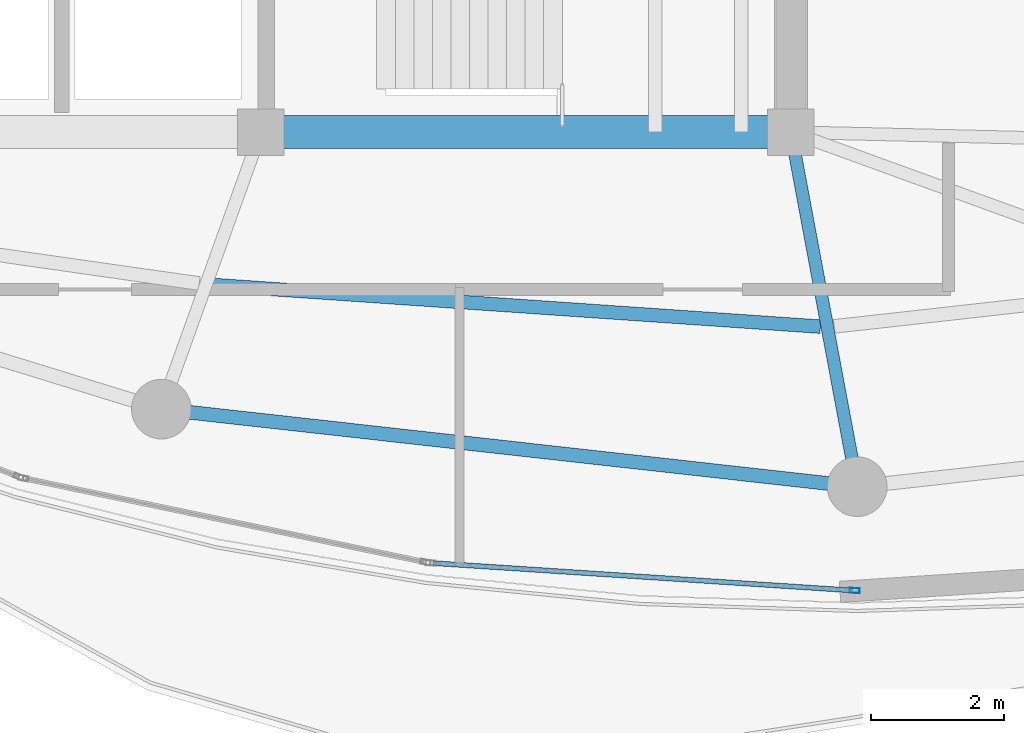
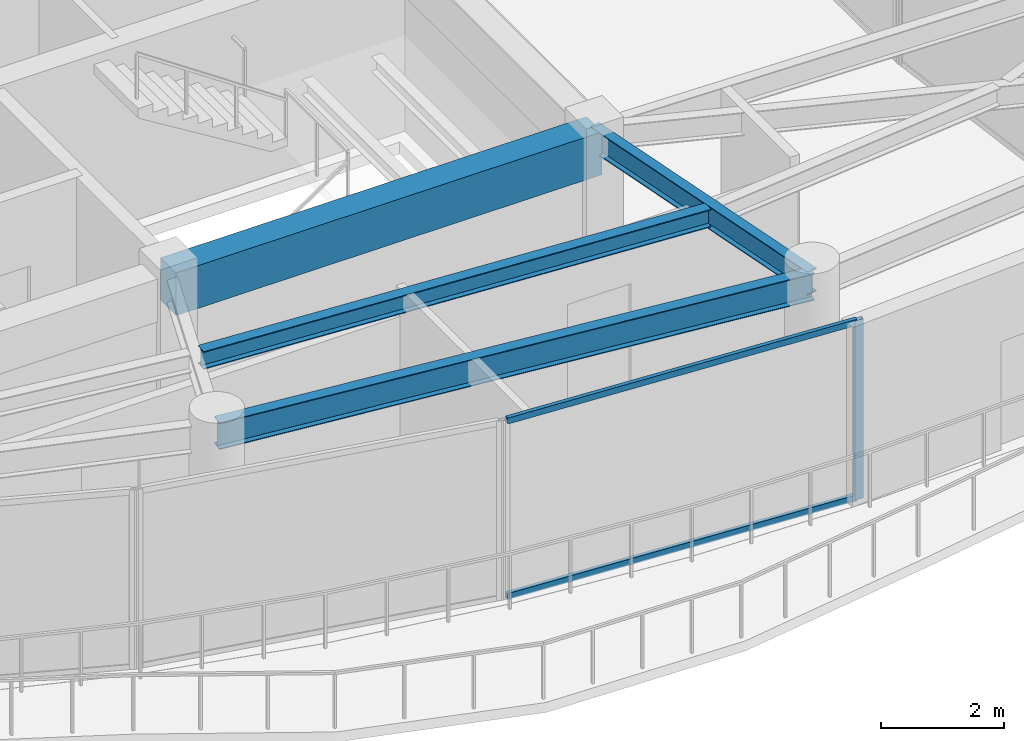
# One storey, part 6 of 23: 4 beams, 3 members, 1 element without a shape of its own.
"""IFC4 building model written with IfcOpenShell, lengths in metres."""

from ifc_helpers import new_model, si_unit, direction, frame, origin, origin_2d, place, context, subcontext, project, spatial, rectangle, hollow_rectangle, i_section, extrude, material, layer, layer_set, material_profile, profile_set, type_object, element, aggregate, save


model = new_model("IFC4")

# Units and contexts
model_context = context("Model", 3, precision=1e-05, world=origin(), true_north=direction((0.0, 1.0)))
body_context = subcontext(model_context, "Body", "Model", "MODEL_VIEW")
ifc_project = project(units=[si_unit("LENGTHUNIT", "METRE"), si_unit("AREAUNIT", "SQUARE_METRE"), si_unit("VOLUMEUNIT", "CUBIC_METRE"), si_unit("PLANEANGLEUNIT", "RADIAN"), si_unit("MASSUNIT", "GRAM", prefix="KILO")], contexts=[model_context])

# Site, building, storey
site_placement = place(None, origin())
site = spatial("IfcSite", under=ifc_project, at=site_placement, CompositionType="ELEMENT")
building_placement = place(site_placement, origin())
building = spatial("IfcBuilding", under=site, at=building_placement, Name="Kazevale Care Tower and Concert Hall", CompositionType="ELEMENT")
storey_placement = place(building_placement, frame((0.0, 0.0, 270.0)))
storey = spatial("IfcBuildingStorey", under=building, at=storey_placement, Name="L71", CompositionType="ELEMENT", Elevation=270.0)

# Curtain wall, members
ifc_material_1 = material(Name="Aluminium 6063-T6 and Low-E Glass", Category="aluminium")
ifc_layer = layer(ifc_material_1, 0.179931640625)
ifc_layer_set = layer_set([ifc_layer], Name="Aluminium 6063-T6 and Low-E Glass")
curtain_wall_type = type_object("IfcCurtainWallType", Name="Sheltered Concave Balcony Curtain Wall CW-5", PredefinedType="NOTDEFINED", material=ifc_layer_set)
curtain_wall_placement = place(storey_placement, origin())
curtain_wall = element("IfcCurtainWall", 1, at=curtain_wall_placement, inside=storey, type_object=curtain_wall_type, Name="cw:L71:f02", PredefinedType="NOTDEFINED")
ifc_material_2 = material(Name="Aluminium 6063-T6", Category="aluminium")
ifc_material_profile_1 = material_profile(ifc_material_2, hollow_rectangle(XDim=0.074951171875, YDim=0.14990234375, WallThickness=0.00390625, at=origin_2d()), Name="ALU75x150x4")
ifc_profile_set_1 = profile_set([ifc_material_profile_1], Name="Aluminium 6063-T6")
member_type_1 = type_object("IfcMemberType", Name="CW-5 Mullion ALU75x150x4", PredefinedType="MULLION", material=ifc_profile_set_1)
member_1_placement = place(storey_placement, frame((44.962646484375, 16.682373046875, 0.0), z_axis=(0.0, 0.0, 1.0), x_axis=(-0.065045771206, -0.997882281458, 0.0)))
member_1 = element("IfcMember", 2, at=member_1_placement, type_object=member_type_1, Name="CW-5 mullion 1", PredefinedType="MULLION", context=body_context, shape_type="SweptSolid", body=[
    extrude(hollow_rectangle(XDim=0.074951171875, YDim=0.14990234375, WallThickness=0.00390625, at=origin_2d()), origin(), (0.0, 0.0, 1.0), 3.56005859375),
])
ifc_material_profile_2 = material_profile(ifc_material_2, hollow_rectangle(XDim=0.074951171875, YDim=0.1201171875, WallThickness=0.00390625, at=origin_2d()), Name="ALU75x120x4")
ifc_profile_set_2 = profile_set([ifc_material_profile_2], Name="Aluminium 6063-T6")
member_type_2 = type_object("IfcMemberType", Name="CW-5 Transom ALU75x120x4", PredefinedType="USERDEFINED", material=ifc_profile_set_2)
member_2_placement = place(storey_placement, frame((44.925048828125, 16.684814453125, 0.03759765625), z_axis=(-0.997881084772, 0.065064127246, 0.0), x_axis=(-0.065064127246, -0.997881084772, 0.0)))
member_2 = element("IfcMember", 3, at=member_2_placement, type_object=member_type_2, Name="CW-5 transom 1.1", ObjectType="TRANSOM", PredefinedType="USERDEFINED", context=body_context, shape_type="SweptSolid", body=[
    extrude(hollow_rectangle(XDim=0.074951171875, YDim=0.1201171875, WallThickness=0.00390625, at=origin_2d()), origin(), (0.0, 0.0, 1.0), 6.337646484375),
])
member_3_placement = place(storey_placement, frame((44.925048828125, 16.684814453125, 3.5224609375), z_axis=(-0.997881084772, 0.065064127246, 0.0), x_axis=(-0.065064127246, -0.997881084772, 0.0)))
member_3 = element("IfcMember", 4, at=member_3_placement, type_object=member_type_2, Name="CW-5 transom 1.2", ObjectType="TRANSOM", PredefinedType="USERDEFINED", context=body_context, shape_type="SweptSolid", body=[
    extrude(hollow_rectangle(XDim=0.074951171875, YDim=0.1201171875, WallThickness=0.00390625, at=origin_2d()), origin(), (0.0, 0.0, 1.0), 6.337646484375),
])
aggregate(curtain_wall, [member_1, member_2, member_3])

# Beams
ifc_material_3 = material(Name="Concrete C60", Category="concrete")
ifc_material_profile_3 = material_profile(ifc_material_3, rectangle(XDim=0.5, YDim=0.85009765625, at=origin_2d()), Name="RC-B500x850")
ifc_profile_set_3 = profile_set([ifc_material_profile_3], Name="Concrete C60")
beam_type_1 = type_object("IfcBeamType", Name="Core Coupling Beam RC500x850", PredefinedType="LINTEL", material=ifc_profile_set_3)
beam_1_placement = place(storey_placement, frame((36.0, 23.60009765625, 3.135009765625), z_axis=(1.0, 0.0, 0.0), x_axis=(0.0, 1.0, 0.0)))
element("IfcBeam", 5, at=beam_1_placement, inside=storey, type_object=beam_type_1, Name="beam:L71:coretie:3", PredefinedType="LINTEL", context=body_context, shape_type="SweptSolid", body=[
    extrude(rectangle(XDim=0.5, YDim=0.85009765625, at=origin_2d()), origin(), (0.0, 0.0, 1.0), 8.0),
])
ifc_material_4 = material(Name="Steel ASTM A572 Gr 50", Category="steel")
ifc_material_profile_4 = material_profile(ifc_material_4, i_section(OverallWidth=0.19091796875, OverallDepth=0.4599609375, WebThickness=0.010009765625, FlangeThickness=0.01611328125, at=origin_2d()), Name="W460x82")
ifc_profile_set_4 = profile_set([ifc_material_profile_4], Name="Steel ASTM A572 Gr 50")
beam_type_2 = type_object("IfcBeamType", Name="Radial Floor Beam W460x82", PredefinedType="BEAM", material=ifc_profile_set_4)
beam_2_placement = place(storey_placement, frame((44.0, 23.60009765625, 3.330078125), z_axis=(0.183730597003, -0.982976636408, 0.0), x_axis=(0.982976636408, 0.183730597003, 0.0)))
element("IfcBeam", 6, at=beam_2_placement, inside=storey, type_object=beam_type_2, Name="beam:L71:rad:13", PredefinedType="BEAM", context=body_context, shape_type="SweptSolid", body=[
    extrude(i_section(OverallWidth=0.19091796875, OverallDepth=0.4599609375, WebThickness=0.010009765625, FlangeThickness=0.01611328125, at=origin_2d()), origin(), (0.0, 0.0, 1.0), 5.44287109375),
])
ifc_material_profile_5 = material_profile(ifc_material_4, i_section(OverallWidth=0.205078125, OverallDepth=0.35400390625, WebThickness=0.009521484375, FlangeThickness=0.016845703125, at=origin_2d()), Name="W360x79")
ifc_profile_set_5 = profile_set([ifc_material_profile_5], Name="Steel ASTM A572 Gr 50")
beam_type_3 = type_object("IfcBeamType", Name="Secondary Floor Joist W360x79", PredefinedType="JOIST", material=ifc_profile_set_5)
beam_3_placement = place(storey_placement, frame((35.280029296875, 21.2939453125, 3.383056640625), z_axis=(0.997653920332, -0.068459150207, 0.0), x_axis=(0.068459150207, 0.997653920332, 0.0)))
element("IfcBeam", 7, at=beam_3_placement, inside=storey, type_object=beam_type_3, Name="beam:L71:joist:12", PredefinedType="JOIST", context=body_context, shape_type="SweptSolid", body=[
    extrude(i_section(OverallWidth=0.205078125, OverallDepth=0.35400390625, WebThickness=0.009521484375, FlangeThickness=0.016845703125, at=origin_2d()), origin(), (0.0, 0.0, 1.0), 9.1865234375),
])
ifc_material_profile_6 = material_profile(ifc_material_4, i_section(OverallWidth=0.208984375, OverallDepth=0.532958984375, WebThickness=0.01025390625, FlangeThickness=0.015625, at=origin_2d()), Name="W530x92")
ifc_profile_set_6 = profile_set([ifc_material_profile_6], Name="Steel ASTM A572 Gr 50")
beam_type_4 = type_object("IfcBeamType", Name="Upper Ring Beam W530x92", PredefinedType="BEAM", material=ifc_profile_set_6)
beam_4_placement = place(storey_placement, frame((34.5, 19.419921875, 3.29345703125), z_axis=(0.993849870772, -0.110735876598, 0.0), x_axis=(0.110735876598, 0.993849870772, 0.0)))
element("IfcBeam", 8, at=beam_4_placement, inside=storey, type_object=beam_type_4, Name="beam:L71:ring:12", PredefinedType="BEAM", context=body_context, shape_type="SweptSolid", body=[
    extrude(i_section(OverallWidth=0.208984375, OverallDepth=0.532958984375, WebThickness=0.01025390625, FlangeThickness=0.015625, at=origin_2d()), origin(), (0.0, 0.0, 1.0), 10.56494140625),
])

save(model, "model.ifc")
